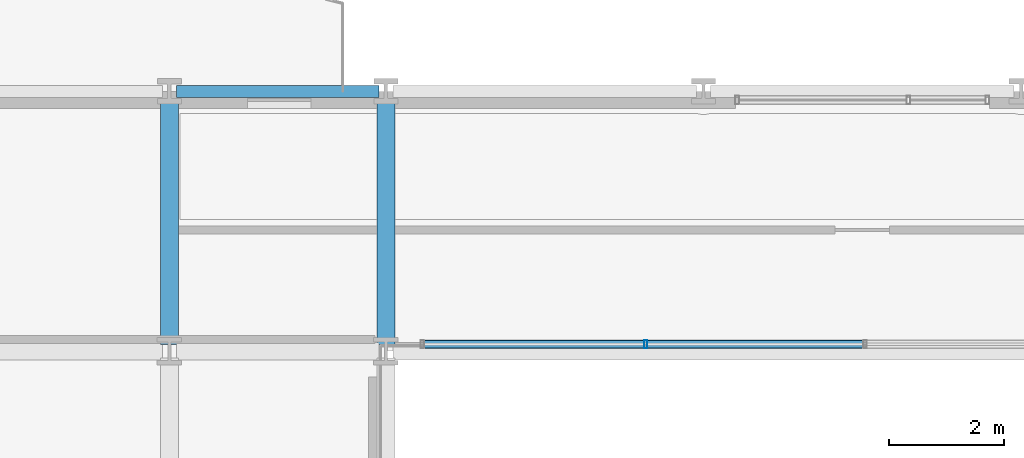
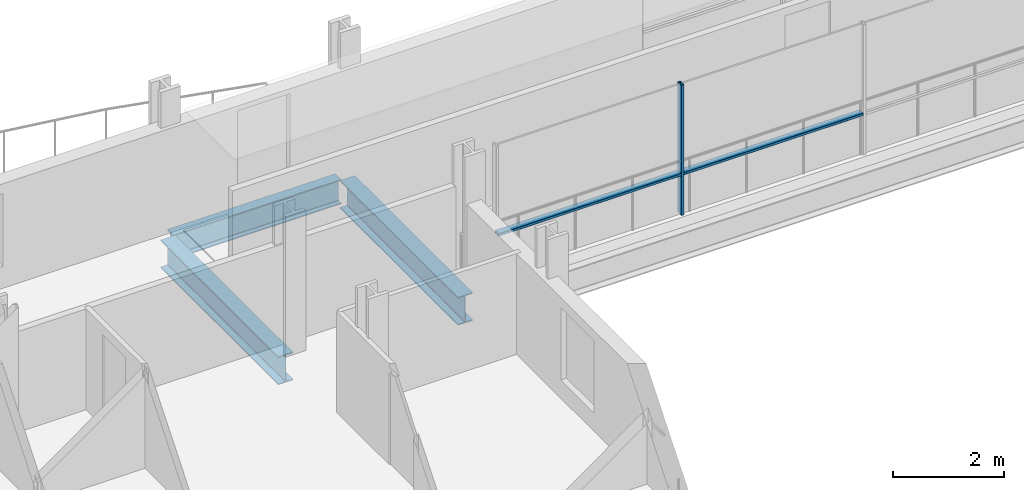
# One storey, part 9 of 39: 3 beams, 3 members, 1 element without a shape of its own.
"""IFC4 building model written with IfcOpenShell, lengths in metres."""

import ifcopenshell
import ifcopenshell.guid

model = None  # the IFC model being written
_history = None  # IfcOwnerHistory: only IFC2X3 demands one
_inside = {}  # id of a spatial element -> (the spatial element, [elements in it])
_under = {}  # id of a project, library or spatial element -> (it, [spatial elements below it])
_declared = {}  # id of a project -> (the project, [libraries it declares])
_typed = {}  # id of a type object -> (the type object, [elements of that type])
_made_of = {}  # id of a material, layer set ... -> (it, [elements and type objects made of it])


def new_model(schema):
    """Start an empty IFC model of exactly this schema.

    Asked for "IFC4X3", IfcOpenShell would pick the latest addendum, in which some entities
    have other attributes; the version numbers below select the first issue.
    IFC2X3 requires an IfcOwnerHistory on every rooted entity: one is made here for all.
    """
    global model, _history
    if schema == "IFC4X3":
        model = ifcopenshell.file(schema_version=(4, 3, 0, 0))
    else:
        model = ifcopenshell.file(schema=schema)
    _inside.clear()
    _under.clear()
    _declared.clear()
    _typed.clear()
    _made_of.clear()
    _history = None
    if model.schema == "IFC2X3":
        org = make("IfcOrganization", Name="unknown")
        user = make(
            "IfcPersonAndOrganization",
            ThePerson=make("IfcPerson", FamilyName="unknown"),
            TheOrganization=org,
        )
        app = make(
            "IfcApplication",
            ApplicationDeveloper=org,
            Version="unknown",
            ApplicationFullName="unknown",
            ApplicationIdentifier="unknown",
        )
        _history = make(
            "IfcOwnerHistory",
            OwningUser=user,
            OwningApplication=app,
            ChangeAction="ADDED",
            CreationDate=0,
        )
    return model


def make(cls, **values):
    """One entity of the class cls with the attributes given. An attribute that is None is left unset."""
    return model.create_entity(
        cls, **{name: value for name, value in values.items() if value is not None}
    )


def rooted(cls, **values):
    """An entity with a GlobalId (a new one), such as an element, a storey or a relation."""
    return make(cls, GlobalId=ifcopenshell.guid.new(), OwnerHistory=_history, **values)


def si_unit(unit_type, name, prefix=None):
    """IfcSIUnit, for example si_unit("LENGTHUNIT", "METRE", prefix="MILLI")."""
    return make("IfcSIUnit", UnitType=unit_type, Prefix=prefix, Name=name)


def assignment(units):
    """IfcUnitAssignment: the units of a project."""
    return None if units is None else make("IfcUnitAssignment", Units=units)


def point(xyz):
    """IfcCartesianPoint."""
    return None if xyz is None else make("IfcCartesianPoint", Coordinates=xyz)


def direction(xyz):
    """IfcDirection."""
    return None if xyz is None else make("IfcDirection", DirectionRatios=xyz)


def frame(location, z_axis=None, x_axis=None):
    """IfcAxis2Placement3D, a coordinate frame: its origin and axes. An axis left out is left unset."""
    return make(
        "IfcAxis2Placement3D",
        Location=point(location),
        Axis=direction(z_axis),
        RefDirection=direction(x_axis),
    )


def frame_2d(location, x_axis=None):
    """IfcAxis2Placement2D, a coordinate frame in the plane: its origin and x axis."""
    return make(
        "IfcAxis2Placement2D", Location=point(location), RefDirection=direction(x_axis)
    )


def origin():
    """The frame at (0, 0, 0) with its axes left unset."""
    return frame((0.0, 0.0, 0.0))


def origin_2d():
    """The frame at (0, 0) in the plane with its x axis left unset."""
    return frame_2d((0.0, 0.0))


def place(relative_to, where):
    """IfcLocalPlacement: puts the frame where relative to a parent placement (None: the world)."""
    return make(
        "IfcLocalPlacement", PlacementRelTo=relative_to, RelativePlacement=where
    )


def context(
    kind, dimensions, precision=None, world=None, true_north=None, identifier=None
):
    """IfcGeometricRepresentationContext, for example the 3D "Model" context."""
    return make(
        "IfcGeometricRepresentationContext",
        ContextIdentifier=identifier,
        ContextType=kind,
        CoordinateSpaceDimension=dimensions,
        Precision=precision,
        WorldCoordinateSystem=world,
        TrueNorth=true_north,
    )


def subcontext(parent, identifier, kind, view, scale=None):
    """IfcGeometricRepresentationSubContext, for example "Body" below "Model"."""
    return make(
        "IfcGeometricRepresentationSubContext",
        ContextIdentifier=identifier,
        ContextType=kind,
        ParentContext=parent,
        TargetScale=scale,
        TargetView=view,
    )


def project(units=None, contexts=None):
    """IfcProject with its units and contexts."""
    return rooted(
        "IfcProject",
        Name="project",
        RepresentationContexts=contexts,
        UnitsInContext=assignment(units),
    )


def spatial(cls, under=None, at=None, **own):
    """A site, building, storey or space (cls), placed at a placement, below another one or the project."""
    s = rooted(cls, ObjectPlacement=at, **own)
    if under is not None:
        _under.setdefault(under.id(), (under, []))[1].append(s)
    return s


def profile(cls, at=None, kind="AREA", **sizes):
    """A parametric profile (cls). Its sizes go by their IFC names, for example OverallWidth=200.0."""
    return make(cls, ProfileType=kind, Position=at, **sizes)


def hollow_rectangle(**sizes):
    """IfcRectangleHollowProfileDef."""
    return profile("IfcRectangleHollowProfileDef", **sizes)


def i_section(**sizes):
    """IfcIShapeProfileDef."""
    return profile("IfcIShapeProfileDef", **sizes)


def extrude(swept, where, along, depth):
    """IfcExtrudedAreaSolid: the profile swept, set in the frame where, extruded along a direction by depth."""
    return make(
        "IfcExtrudedAreaSolid",
        SweptArea=swept,
        Position=where,
        ExtrudedDirection=direction(along),
        Depth=depth,
    )


def shape(context_of_items, identifier, shape_type, items):
    """IfcShapeRepresentation: the items that make up one representation, for example the "Body"."""
    return make(
        "IfcShapeRepresentation",
        ContextOfItems=context_of_items,
        RepresentationIdentifier=identifier,
        RepresentationType=shape_type,
        Items=items,
    )


def material(Name=None, Category=None):
    """IfcMaterial."""
    return make("IfcMaterial", Name=Name, Category=Category)


def layer(
    of_material, thickness, ventilated=None, Name=None, Category=None, Priority=None
):
    """IfcMaterialLayer: one layer of a wall or slab, of a material (None: an air gap)."""
    return make(
        "IfcMaterialLayer",
        Material=of_material,
        LayerThickness=thickness,
        IsVentilated=ventilated,
        Name=Name,
        Category=Category,
        Priority=Priority,
    )


def layer_set(layers, Name=None):
    """IfcMaterialLayerSet."""
    return make("IfcMaterialLayerSet", MaterialLayers=layers, LayerSetName=Name)


def material_profile(
    of_material, cross_section, Name=None, Category=None, Priority=None
):
    """IfcMaterialProfile: a cross section and its material."""
    return make(
        "IfcMaterialProfile",
        Name=Name,
        Material=of_material,
        Profile=cross_section,
        Priority=Priority,
        Category=Category,
    )


def profile_set(profiles, Name=None, composite=None):
    """IfcMaterialProfileSet."""
    return make(
        "IfcMaterialProfileSet",
        Name=Name,
        MaterialProfiles=profiles,
        CompositeProfile=composite,
    )


def made_of(thing, what):
    """Note that an element or type object is made of a material, layer set ...; save() writes the relation."""
    if what is not None:
        _made_of.setdefault(what.id(), (what, []))[1].append(thing)
    return thing


def type_object(cls, material=None, **own):
    """A type object (cls), such as IfcWallType, which elements share."""
    return made_of(rooted(cls, **own), material)


def element(
    cls,
    number,
    at=None,
    inside=None,
    cuts=None,
    type_object=None,
    material=None,
    context=None,
    identifier="Body",
    shape_type=None,
    held_by="IfcProductDefinitionShape",
    body=None,
    shapes=None,
    **own,
):
    """One element of the class cls, such as IfcWall. Its Tag is "e" and its number.

    at: its placement. inside: the storey or other place that contains it. cuts: it is an
    opening in that element (IfcRelVoidsElement). A single representation is given by context,
    identifier, shape_type and body (its items); several are given by shapes. held_by: the class
    of the entity that holds the representations. save() writes the other relations.
    """
    e = rooted(cls, Tag="e%d" % number, ObjectPlacement=at, **own)
    if body is not None:
        shapes = [shape(context, identifier, shape_type, body)]
    if shapes is not None:
        e.Representation = make(held_by, Representations=shapes)
    if inside is not None:
        _inside.setdefault(inside.id(), (inside, []))[1].append(e)
    if cuts is not None:
        rooted(
            "IfcRelVoidsElement", RelatingBuildingElement=cuts, RelatedOpeningElement=e
        )
    if type_object is not None:
        _typed.setdefault(type_object.id(), (type_object, []))[1].append(e)
    return made_of(e, material)


def aggregate(whole, parts):
    """IfcRelAggregates: a whole, such as a stair, and the parts it consists of."""
    return rooted("IfcRelAggregates", RelatingObject=whole, RelatedObjects=parts)


def save(model, path):
    """Write the relations noted so far, then the file.

    IfcRelAggregates (storeys below a building ...), IfcRelContainedInSpatialStructure (elements
    in a storey), IfcRelDefinesByType, IfcRelAssociatesMaterial and IfcRelDeclares: one each for
    every whole, place, type object, material and project.
    """
    for whole, parts in _under.values():
        aggregate(whole, parts)
    for where, things in _inside.values():
        rooted(
            "IfcRelContainedInSpatialStructure",
            RelatedElements=things,
            RelatingStructure=where,
        )
    for kind, things in _typed.values():
        rooted("IfcRelDefinesByType", RelatedObjects=things, RelatingType=kind)
    for what, things in _made_of.values():
        rooted("IfcRelAssociatesMaterial", RelatedObjects=things, RelatingMaterial=what)
    for by, libraries in _declared.values():
        rooted("IfcRelDeclares", RelatingContext=by, RelatedDefinitions=libraries)
    model.write(path)


model = new_model("IFC4")

# Units and contexts
model_context = context("Model", 3, precision=1e-05, world=origin(), true_north=direction((0.0, 1.0)))
body_context = subcontext(model_context, "Body", "Model", "MODEL_VIEW")
ifc_project = project(units=[si_unit("LENGTHUNIT", "METRE"), si_unit("AREAUNIT", "SQUARE_METRE"), si_unit("VOLUMEUNIT", "CUBIC_METRE"), si_unit("PLANEANGLEUNIT", "RADIAN"), si_unit("MASSUNIT", "GRAM", prefix="KILO")], contexts=[model_context])

# Site, building, storey
site_placement = place(None, origin())
site = spatial("IfcSite", under=ifc_project, at=site_placement, CompositionType="ELEMENT")
building_placement = place(site_placement, origin())
building = spatial("IfcBuilding", under=site, at=building_placement, Name="Brevholm Reach", CompositionType="ELEMENT")
storey_placement = place(building_placement, frame((0.0, 0.0, 34.199951171875)))
storey = spatial("IfcBuildingStorey", under=building, at=storey_placement, Name="L08", CompositionType="ELEMENT", Elevation=34.199951171875)

# Beams
ifc_material_1 = material(Name="Structural Steel S355J2", Category="steel")
ifc_material_profile_1 = material_profile(ifc_material_1, i_section(OverallWidth=0.210693359375, OverallDepth=0.53955078125, WebThickness=0.01171875, FlangeThickness=0.018798828125, FilletRadius=0.0126953125, at=origin_2d()), Name="UKB 533x210x109")
ifc_profile_set_1 = profile_set([ifc_material_profile_1], Name="Structural Steel S355J2")
beam_type_1 = type_object("IfcBeamType", Name="BM-SP539", PredefinedType="SPANDREL", material=ifc_profile_set_1)
beam_placement = place(storey_placement, frame((18.1201171875, 31.0, -0.499755859375), z_axis=(1.0, 0.0, 0.0), x_axis=(0.0, 1.0, 0.0)))
element("IfcBeam", 1, at=beam_placement, inside=storey, type_object=beam_type_1, Name="L08 SP-01B Framing Beam", PredefinedType="SPANDREL", context=body_context, shape_type="SweptSolid", body=[
    extrude(i_section(OverallWidth=0.210693359375, OverallDepth=0.53955078125, WebThickness=0.01171875, FlangeThickness=0.018798828125, FilletRadius=0.0126953125, at=origin_2d()), origin(), (0.0, 0.0, 1.0), 3.509765625),
])
ifc_material_2 = material(Name="Structural Steel S355J2", Category="steel")
ifc_material_profile_2 = material_profile(ifc_material_2, i_section(OverallWidth=0.30712890625, OverallDepth=0.6201171875, WebThickness=0.01416015625, FlangeThickness=0.023681640625, FilletRadius=0.0166015625, at=origin_2d()), Name="UKB 610x305x179")
ifc_profile_set_2 = profile_set([ifc_material_profile_2], Name="Structural Steel S355J2")
beam_type_2 = type_object("IfcBeamType", Name="BM-UKB610H", PredefinedType="USERDEFINED", material=ifc_profile_set_2)
for number, where, z_axis, x_axis, name in (
    (2, (18.0, 26.6201171875, -0.5400390625), (0.0, 1.0, 0.0), (-1.0, 0.0, 0.0), "L08 G-06 Framing Beam"),
    (3, (21.75, 26.6201171875, -0.5400390625), (0.0, 1.0, 0.0), (-1.0, 0.0, 0.0), "L08 G-06 Framing Beam"),
):
    element("IfcBeam", number, at=place(storey_placement, frame(where, z_axis=z_axis, x_axis=x_axis)), inside=storey, type_object=beam_type_2, Name=name, ObjectType="GIRDER", PredefinedType="USERDEFINED", context=body_context, shape_type="SweptSolid", body=[
        extrude(i_section(OverallWidth=0.30712890625, OverallDepth=0.6201171875, WebThickness=0.01416015625, FlangeThickness=0.023681640625, FilletRadius=0.0166015625, at=origin_2d()), origin(), (0.0, 0.0, 1.0), 4.259765625),
    ])

# Curtain wall, members
ifc_material_3 = material(Name="Dark Anodised Aluminium 6063-T6 and Solar-Control Glass", Category="aluminium")
ifc_layer = layer(ifc_material_3, 0.139892578125)
ifc_layer_set = layer_set([ifc_layer], Name="Dark Anodised Aluminium 6063-T6 and Solar-Control Glass")
curtain_wall_type = type_object("IfcCurtainWallType", Name="CW-02", PredefinedType="NOTDEFINED", material=ifc_layer_set)
curtain_wall_placement = place(storey_placement, origin())
curtain_wall = element("IfcCurtainWall", 4, at=curtain_wall_placement, inside=storey, type_object=curtain_wall_type, Name="L08 Curtain Wall CW-02", PredefinedType="NOTDEFINED")
ifc_material_4 = material(Name="Dark Anodised Aluminium 6063-T6", Category="aluminium")
ifc_material_profile_3 = material_profile(ifc_material_4, hollow_rectangle(XDim=0.06005859375, YDim=0.139892578125, WallThickness=0.0048828125, InnerFilletRadius=0.0048828125, OuterFilletRadius=0.010009765625, at=origin_2d()), Name="RHS 140x60x5")
ifc_profile_set_3 = profile_set([ifc_material_profile_3], Name="Dark Anodised Aluminium 6063-T6")
member_type_1 = type_object("IfcMemberType", Name="CWM-140", PredefinedType="MULLION", material=ifc_profile_set_3)
member_1_placement = place(storey_placement, frame((26.25, 26.6201171875, 0.0), z_axis=(0.0, 0.0, 1.0), x_axis=(-1.0, 0.0, 0.0)))
member_1 = element("IfcMember", 5, at=member_1_placement, type_object=member_type_1, Name="CM-140 Mullion 4", PredefinedType="MULLION", context=body_context, shape_type="SweptSolid", body=[
    extrude(hollow_rectangle(XDim=0.06005859375, YDim=0.139892578125, WallThickness=0.0048828125, InnerFilletRadius=0.0048828125, OuterFilletRadius=0.010009765625, at=origin_2d()), origin(), (0.0, 0.0, 1.0), 2.8701171875),
])
ifc_material_5 = material(Name="Dark Anodised Aluminium 6063-T6", Category="aluminium")
ifc_material_profile_4 = material_profile(ifc_material_5, hollow_rectangle(XDim=0.06005859375, YDim=0.139892578125, WallThickness=0.0048828125, InnerFilletRadius=0.0048828125, OuterFilletRadius=0.010009765625, at=origin_2d()), Name="RHS 140x60x5")
ifc_profile_set_4 = profile_set([ifc_material_profile_4], Name="Dark Anodised Aluminium 6063-T6")
member_type_2 = type_object("IfcMemberType", Name="CWT-140", PredefinedType="NOTDEFINED", material=ifc_profile_set_4)
member_2_placement = place(storey_placement, frame((30.02001953125, 26.6201171875, 0.900146484375), z_axis=(-1.0, 0.0, 0.0), x_axis=(0.0, 0.0, 1.0)))
member_2 = element("IfcMember", 6, at=member_2_placement, type_object=member_type_2, Name="CT-140 Transom 3.1", ObjectType="TRANSOM", PredefinedType="USERDEFINED", context=body_context, shape_type="SweptSolid", body=[
    extrude(hollow_rectangle(XDim=0.06005859375, YDim=0.139892578125, WallThickness=0.0048828125, InnerFilletRadius=0.0048828125, OuterFilletRadius=0.010009765625, at=origin_2d()), origin(), (0.0, 0.0, 1.0), 3.739990234375),
])
member_3_placement = place(storey_placement, frame((26.219970703125, 26.6201171875, 0.900146484375), z_axis=(-1.0, 0.0, 0.0), x_axis=(0.0, 0.0, 1.0)))
member_3 = element("IfcMember", 7, at=member_3_placement, type_object=member_type_2, Name="CT-140 Transom 4.1", ObjectType="TRANSOM", PredefinedType="USERDEFINED", context=body_context, shape_type="SweptSolid", body=[
    extrude(hollow_rectangle(XDim=0.06005859375, YDim=0.139892578125, WallThickness=0.0048828125, InnerFilletRadius=0.0048828125, OuterFilletRadius=0.010009765625, at=origin_2d()), origin(), (0.0, 0.0, 1.0), 3.81005859375),
])
aggregate(curtain_wall, [member_1, member_2, member_3])

save(model, "model.ifc")
